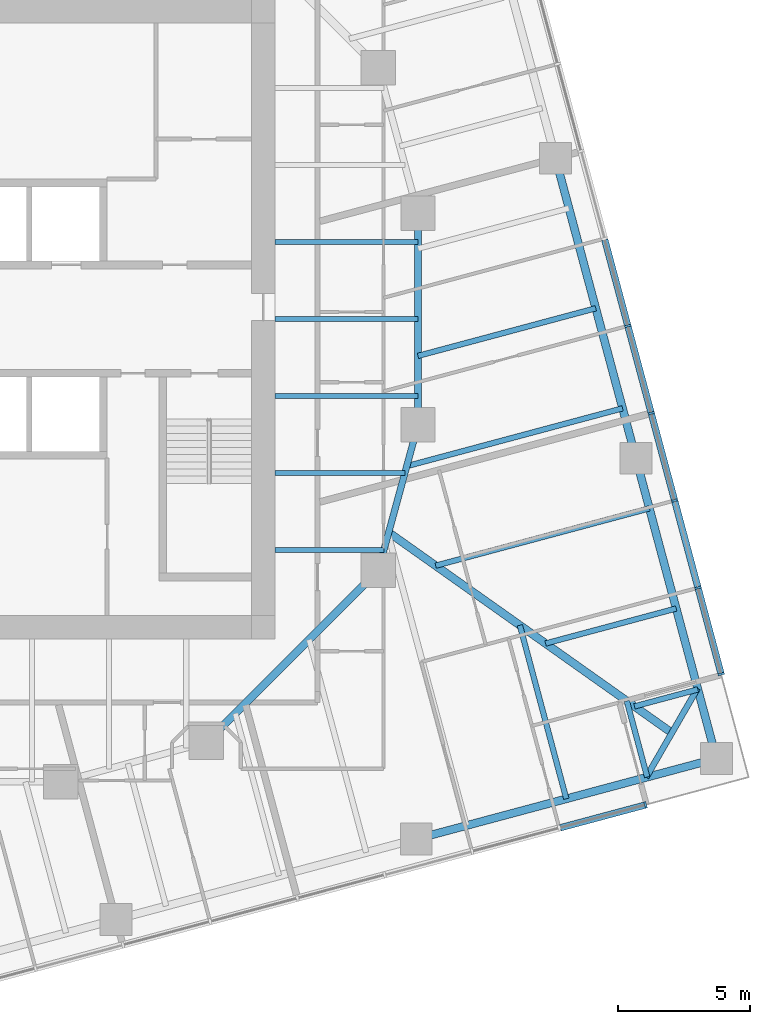
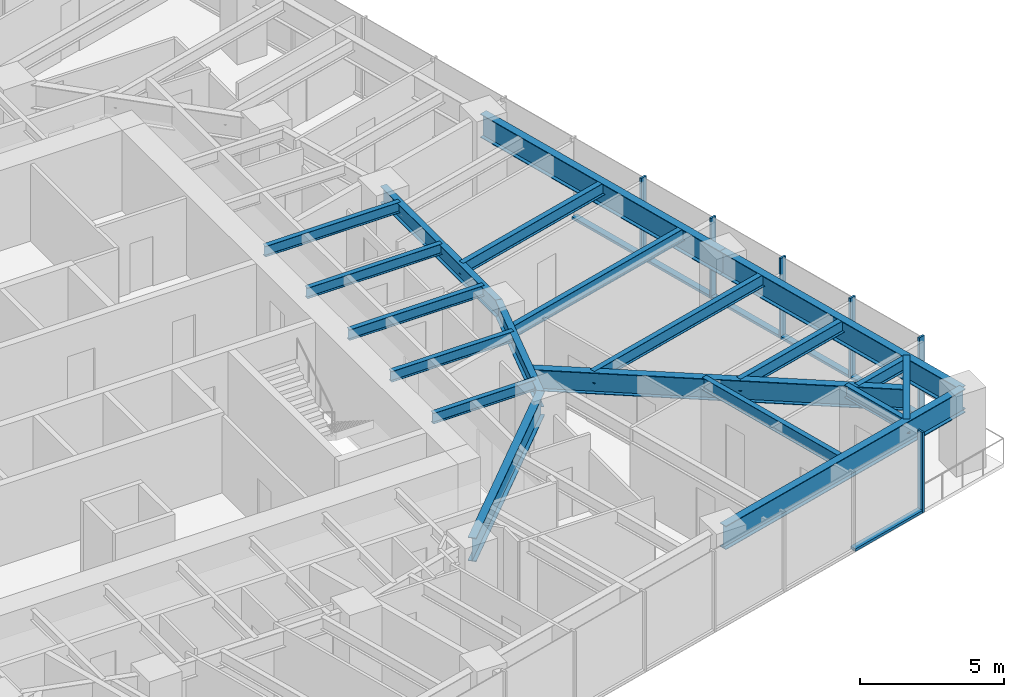
# One storey, part 4 of 14: 20 beams, 12 members, 2 elements without a shape of their own.
"""IFC4 building model written with IfcOpenShell, lengths in metres."""

from ifc_helpers import new_model, si_unit, direction, frame, origin, origin_2d, place, context, subcontext, project, spatial, rectangle, i_section, extrude, material, material_profile, profile_set, type_object, element, aggregate, save


model = new_model("IFC4")

# Units and contexts
model_context = context("Model", 3, precision=1e-05, world=origin(), true_north=direction((0.0, 1.0)))
body_context = subcontext(model_context, "Body", "Model", "MODEL_VIEW")
ifc_project = project(units=[si_unit("LENGTHUNIT", "METRE"), si_unit("AREAUNIT", "SQUARE_METRE"), si_unit("VOLUMEUNIT", "CUBIC_METRE"), si_unit("PLANEANGLEUNIT", "RADIAN"), si_unit("MASSUNIT", "GRAM", prefix="KILO")], contexts=[model_context])

# Site, building, storey
site_placement = place(None, origin())
site = spatial("IfcSite", under=ifc_project, at=site_placement, CompositionType="ELEMENT")
building_placement = place(site_placement, origin())
building = spatial("IfcBuilding", under=site, at=building_placement, Name="Torsade Residences", CompositionType="ELEMENT")
storey_placement = place(building_placement, frame((0.0, 0.0, 128.60009765625)))
storey = spatial("IfcBuildingStorey", under=building, at=storey_placement, Name="L35", CompositionType="ELEMENT", Elevation=128.60009765625)

# Beams
ifc_material_1 = material(Name="Steel grade 300", Category="steel")
ifc_material_profile_1 = material_profile(ifc_material_1, i_section(OverallWidth=0.300048828125, OverallDepth=0.89990234375, WebThickness=0.011962890625, FlangeThickness=0.02490234375, at=origin_2d()), Name="900WB175")
ifc_profile_set_1 = profile_set([ifc_material_profile_1], Name="Steel grade 300")
beam_type_1 = type_object("IfcBeamType", Name="CORNER GIRDER 900WB175", PredefinedType="BEAM", material=ifc_profile_set_1)
beam_1_placement = place(storey_placement, frame((67.097412109375, 14.355224609375, 2.7998046875), z_axis=(-0.816261084801, 0.577683167004, 0.0), x_axis=(-0.577683167004, -0.816261084801, 0.0)))
element("IfcBeam", 1, at=beam_1_placement, inside=storey, type_object=beam_type_1, Name="Corner girder 05 L36", PredefinedType="BEAM", context=body_context, shape_type="SweptSolid", body=[
    extrude(i_section(OverallWidth=0.300048828125, OverallDepth=0.89990234375, WebThickness=0.011962890625, FlangeThickness=0.02490234375, at=origin_2d()), origin(), (0.0, 0.0, 1.0), 13.116943359375),
])
ifc_material_2 = material(Name="Steel grade 300", Category="steel")
ifc_material_profile_2 = material_profile(ifc_material_2, i_section(OverallWidth=0.22802734375, OverallDepth=0.60205078125, WebThickness=0.010498046875, FlangeThickness=0.014892578125, FilletRadius=0.013916015625, at=origin_2d()), Name="610UB101")
ifc_profile_set_2 = profile_set([ifc_material_profile_2], Name="Steel grade 300")
beam_type_2 = type_object("IfcBeamType", Name="CORNER TRIMMER 610UB101", PredefinedType="BEAM", material=ifc_profile_set_2)
beam_2_placement = place(storey_placement, frame((68.06982421875, 16.039306640625, 2.948974609375), z_axis=(-0.499994147244, -0.866028782848, 0.0), x_axis=(0.866028782848, -0.499994147244, 0.0)))
element("IfcBeam", 2, at=beam_2_placement, inside=storey, type_object=beam_type_2, Name="Corner trimmer 05 L36", PredefinedType="BEAM", context=body_context, shape_type="SweptSolid", body=[
    extrude(i_section(OverallWidth=0.22802734375, OverallDepth=0.60205078125, WebThickness=0.010498046875, FlangeThickness=0.014892578125, FilletRadius=0.013916015625, at=origin_2d()), origin(), (0.0, 0.0, 1.0), 3.88916015625),
])
ifc_material_3 = material(Name="Steel grade 300", Category="steel")
ifc_material_profile_3 = material_profile(ifc_material_3, i_section(OverallWidth=0.300048828125, OverallDepth=1.0, WebThickness=0.01611328125, FlangeThickness=0.028076171875, at=origin_2d()), Name="1000WB215")
ifc_profile_set_3 = profile_set([ifc_material_profile_3], Name="Steel grade 300")
beam_type_3 = type_object("IfcBeamType", Name="EDGE BEAM 1000WB215", PredefinedType="SPANDREL", material=ifc_profile_set_3)
for number, where, z_axis, x_axis, name in (
    (3, (57.431884765625, 10.341796875, 2.75), (0.965922824118, 0.258830249097, 0.0), (-0.258830249097, 0.965922824118, 0.0), "Edge beam 04 L36"),
    (4, (68.781494140625, 13.383056640625, 2.75), (-0.258810863021, 0.965928018634, 0.0), (-0.965928018634, -0.258810863021, 0.0), "Edge beam 05 L36"),
    (5, (65.740478515625, 24.732666015625, 2.75), (-0.258830249097, 0.965922824118, 0.0), (-0.965922824118, -0.258830249097, 0.0), "Edge beam 06 L36"),
):
    element("IfcBeam", number, at=place(storey_placement, frame(where, z_axis=z_axis, x_axis=x_axis)), inside=storey, type_object=beam_type_3, Name=name, PredefinedType="SPANDREL", context=body_context, shape_type="SweptSolid", body=[
        extrude(i_section(OverallWidth=0.300048828125, OverallDepth=1.0, WebThickness=0.01611328125, FlangeThickness=0.028076171875, at=origin_2d()), origin(), (0.0, 0.0, 1.0), 11.75),
    ])
ifc_material_4 = material(Name="Steel grade 300", Category="steel")
ifc_material_profile_4 = material_profile(ifc_material_4, i_section(OverallWidth=0.18994140625, OverallDepth=0.4541015625, WebThickness=0.008544921875, FlangeThickness=0.0126953125, FilletRadius=0.011474609375, at=origin_2d()), Name="460UB67.1")
ifc_profile_set_4 = profile_set([ifc_material_profile_4], Name="Steel grade 300")
beam_type_4 = type_object("IfcBeamType", Name="INNER FLOOR BEAM 460UB67.1", PredefinedType="JOIST", material=ifc_profile_set_4)
beam_3_placement = place(storey_placement, frame((52.10009765625, 21.262451171875, 3.02294921875), z_axis=(1.0, 0.0, 0.0), x_axis=(0.0, 1.0, 0.0)))
element("IfcBeam", 6, at=beam_3_placement, inside=storey, type_object=beam_type_4, Name="Inner floor beam IE01 L36", PredefinedType="JOIST", context=body_context, shape_type="SweptSolid", body=[
    extrude(i_section(OverallWidth=0.18994140625, OverallDepth=0.4541015625, WebThickness=0.008544921875, FlangeThickness=0.0126953125, FilletRadius=0.011474609375, at=origin_2d()), origin(), (0.0, 0.0, 1.0), 4.10791015625),
])
beam_4_placement = place(storey_placement, frame((52.10009765625, 24.175048828125, 3.02294921875), z_axis=(1.0, 0.0, 0.0), x_axis=(0.0, 1.0, 0.0)))
element("IfcBeam", 7, at=beam_4_placement, inside=storey, type_object=beam_type_4, Name="Inner floor beam IE02 L36", PredefinedType="JOIST", context=body_context, shape_type="SweptSolid", body=[
    extrude(i_section(OverallWidth=0.18994140625, OverallDepth=0.4541015625, WebThickness=0.008544921875, FlangeThickness=0.0126953125, FilletRadius=0.011474609375, at=origin_2d()), origin(), (0.0, 0.0, 1.0), 4.902099609375),
])
for number, where, z_axis, x_axis, name in (
    (8, (52.10009765625, 27.08740234375, 3.02294921875), (1.0, 0.0, 0.0), (0.0, 1.0, 0.0), "Inner floor beam IE03 L36"),
    (9, (52.10009765625, 30.0, 3.02294921875), (1.0, 0.0, 0.0), (0.0, 1.0, 0.0), "Inner floor beam IE04 L36"),
    (10, (52.10009765625, 32.91259765625, 3.02294921875), (1.0, 0.0, 0.0), (0.0, 1.0, 0.0), "Inner floor beam IE05 L36"),
):
    element("IfcBeam", number, at=place(storey_placement, frame(where, z_axis=z_axis, x_axis=x_axis)), inside=storey, type_object=beam_type_4, Name=name, PredefinedType="JOIST", context=body_context, shape_type="SweptSolid", body=[
        extrude(i_section(OverallWidth=0.18994140625, OverallDepth=0.4541015625, WebThickness=0.008544921875, FlangeThickness=0.0126953125, FilletRadius=0.011474609375, at=origin_2d()), origin(), (0.0, 0.0, 1.0), 5.39990234375),
    ])

# Curtain wall, member
ifc_material_5 = material(Name="Aluminium and glass", Category="aluminium")
curtain_wall_type = type_object("IfcCurtainWallType", Name="FRITTED GLASS CURTAIN WALL MID ZONE", PredefinedType="NOTDEFINED", material=ifc_material_5)
curtain_wall_1_placement = place(storey_placement, origin())
curtain_wall_1 = element("IfcCurtainWall", 11, at=curtain_wall_1_placement, inside=storey, type_object=curtain_wall_type, Name="Curtain wall L35 face 1", PredefinedType="NOTDEFINED")
ifc_material_6 = material(Name="Aluminium mullion", Category="aluminium")
ifc_material_profile_5 = material_profile(ifc_material_6, rectangle(XDim=0.25, YDim=0.080078125, at=origin_2d()), Name="MID ZONE CURTAIN WALL MULLION 250x80")
ifc_profile_set_5 = profile_set([ifc_material_profile_5], Name="Aluminium mullion")
member_type_1 = type_object("IfcMemberType", Name="MID ZONE CURTAIN WALL MULLION 250x80", PredefinedType="MULLION", material=ifc_profile_set_5)
member_1_placement = place(storey_placement, frame((66.10400390625, 11.63037109375, 0.0), z_axis=(0.0, 0.0, 1.0), x_axis=(-0.258819047783, 0.965925825571, 0.0)))
member_1 = element("IfcMember", 12, at=member_1_placement, type_object=member_type_1, Name="Mullion 13", PredefinedType="MULLION", context=body_context, shape_type="SweptSolid", body=[
    extrude(rectangle(XDim=0.25, YDim=0.080078125, at=origin_2d()), origin(), (0.0, 0.0, 1.0), 3.39990234375),
])

# Curtain wall, members
curtain_wall_2_placement = place(storey_placement, origin())
curtain_wall_2 = element("IfcCurtainWall", 13, at=curtain_wall_2_placement, inside=storey, type_object=curtain_wall_type, Name="Curtain wall L35 face 4", PredefinedType="NOTDEFINED")
member_2_placement = place(storey_placement, frame((68.960693359375, 16.578125, 0.0), z_axis=(0.0, 0.0, 1.0), x_axis=(-0.965925825571, -0.258819047783, 0.0)))
member_2 = element("IfcMember", 14, at=member_2_placement, type_object=member_type_1, Name="Mullion 1", PredefinedType="MULLION", context=body_context, shape_type="SweptSolid", body=[
    extrude(rectangle(XDim=0.25, YDim=0.080078125, at=origin_2d()), origin(), (0.0, 0.0, 1.0), 3.39990234375),
])
member_3_placement = place(storey_placement, frame((68.086669921875, 19.83984375, 0.0), z_axis=(0.0, 0.0, 1.0), x_axis=(-0.965925825571, -0.258819047783, 0.0)))
member_3 = element("IfcMember", 15, at=member_3_placement, type_object=member_type_1, Name="Mullion 2", PredefinedType="MULLION", context=body_context, shape_type="SweptSolid", body=[
    extrude(rectangle(XDim=0.25, YDim=0.080078125, at=origin_2d()), origin(), (0.0, 0.0, 1.0), 3.39990234375),
])
member_4_placement = place(storey_placement, frame((67.202392578125, 23.14013671875, 0.0), z_axis=(0.0, 0.0, 1.0), x_axis=(-0.965925825571, -0.258819047783, 0.0)))
member_4 = element("IfcMember", 16, at=member_4_placement, type_object=member_type_1, Name="Mullion 3", PredefinedType="MULLION", context=body_context, shape_type="SweptSolid", body=[
    extrude(rectangle(XDim=0.25, YDim=0.080078125, at=origin_2d()), origin(), (0.0, 0.0, 1.0), 3.39990234375),
])
member_5_placement = place(storey_placement, frame((66.318115234375, 26.4404296875, 0.0), z_axis=(0.0, 0.0, 1.0), x_axis=(-0.965925825571, -0.258819047783, 0.0)))
member_5 = element("IfcMember", 17, at=member_5_placement, type_object=member_type_1, Name="Mullion 4", PredefinedType="MULLION", context=body_context, shape_type="SweptSolid", body=[
    extrude(rectangle(XDim=0.25, YDim=0.080078125, at=origin_2d()), origin(), (0.0, 0.0, 1.0), 3.39990234375),
])
member_6_placement = place(storey_placement, frame((65.433837890625, 29.740478515625, 0.0), z_axis=(0.0, 0.0, 1.0), x_axis=(-0.965925825571, -0.258819047783, 0.0)))
member_6 = element("IfcMember", 18, at=member_6_placement, type_object=member_type_1, Name="Mullion 5", PredefinedType="MULLION", context=body_context, shape_type="SweptSolid", body=[
    extrude(rectangle(XDim=0.25, YDim=0.080078125, at=origin_2d()), origin(), (0.0, 0.0, 1.0), 3.39990234375),
])

# Member
ifc_material_7 = material(Name="Aluminium transom", Category="aluminium")
ifc_material_profile_6 = material_profile(ifc_material_7, rectangle(XDim=0.25, YDim=0.110107421875, at=origin_2d()), Name="MID ZONE CURTAIN WALL TRANSOM 250x110")
ifc_profile_set_6 = profile_set([ifc_material_profile_6], Name="Aluminium transom")
member_type_2 = type_object("IfcMemberType", Name="MID ZONE CURTAIN WALL TRANSOM 250x110", PredefinedType="USERDEFINED", material=ifc_profile_set_6)
member_7_placement = place(storey_placement, frame((62.880859375, 10.7666015625, 0.054931640625), z_axis=(0.965923258633, 0.258828627534, 0.0), x_axis=(-0.258828627534, 0.965923258633, 0.0)))
member_7 = element("IfcMember", 19, at=member_7_placement, type_object=member_type_2, Name="Transom 12.1", ObjectType="TRANSOM", PredefinedType="USERDEFINED", context=body_context, shape_type="SweptSolid", body=[
    extrude(rectangle(XDim=0.25, YDim=0.110107421875, at=origin_2d()), origin(), (0.0, 0.0, 1.0), 3.296630859375),
])

aggregate(curtain_wall_1, [member_1, member_7])

member_8_placement = place(storey_placement, frame((68.9501953125, 16.616943359375, 0.054931640625), z_axis=(-0.258828627534, 0.965923258633, 0.0), x_axis=(-0.965923258633, -0.258828627534, 0.0)))
member_8 = element("IfcMember", 20, at=member_8_placement, type_object=member_type_2, Name="Transom 1.1", ObjectType="TRANSOM", PredefinedType="USERDEFINED", context=body_context, shape_type="SweptSolid", body=[
    extrude(rectangle(XDim=0.25, YDim=0.110107421875, at=origin_2d()), origin(), (0.0, 0.0, 1.0), 3.296630859375),
])

member_9_placement = place(storey_placement, frame((68.076416015625, 19.87841796875, 0.054931640625), z_axis=(-0.258855549498, 0.965916044226, 0.0), x_axis=(-0.965916044226, -0.258855549498, 0.0)))
member_9 = element("IfcMember", 21, at=member_9_placement, type_object=member_type_2, Name="Transom 2.1", ObjectType="TRANSOM", PredefinedType="USERDEFINED", context=body_context, shape_type="SweptSolid", body=[
    extrude(rectangle(XDim=0.25, YDim=0.110107421875, at=origin_2d()), origin(), (0.0, 0.0, 1.0), 3.3369140625),
])

member_10_placement = place(storey_placement, frame((67.192138671875, 23.1787109375, 0.054931640625), z_axis=(-0.258873844232, 0.96591114124, 0.0), x_axis=(-0.96591114124, -0.258873844232, 0.0)))
member_10 = element("IfcMember", 22, at=member_10_placement, type_object=member_type_2, Name="Transom 3.1", ObjectType="TRANSOM", PredefinedType="USERDEFINED", context=body_context, shape_type="SweptSolid", body=[
    extrude(rectangle(XDim=0.25, YDim=0.110107421875, at=origin_2d()), origin(), (0.0, 0.0, 1.0), 3.336669921875),
])

member_11_placement = place(storey_placement, frame((66.3076171875, 26.47900390625, 0.054931640625), z_axis=(-0.258805576255, 0.965929435155, 0.0), x_axis=(-0.965929435155, -0.258805576255, 0.0)))
member_11 = element("IfcMember", 23, at=member_11_placement, type_object=member_type_2, Name="Transom 4.1", ObjectType="TRANSOM", PredefinedType="USERDEFINED", context=body_context, shape_type="SweptSolid", body=[
    extrude(rectangle(XDim=0.25, YDim=0.110107421875, at=origin_2d()), origin(), (0.0, 0.0, 1.0), 3.336669921875),
])

member_12_placement = place(storey_placement, frame((65.42333984375, 29.779296875, 0.054931640625), z_axis=(-0.258805576255, 0.965929435155, 0.0), x_axis=(-0.965929435155, -0.258805576255, 0.0)))
member_12 = element("IfcMember", 24, at=member_12_placement, type_object=member_type_2, Name="Transom 5.1", ObjectType="TRANSOM", PredefinedType="USERDEFINED", context=body_context, shape_type="SweptSolid", body=[
    extrude(rectangle(XDim=0.25, YDim=0.110107421875, at=origin_2d()), origin(), (0.0, 0.0, 1.0), 3.336669921875),
])

aggregate(curtain_wall_2, [member_2, member_3, member_4, member_5, member_6, member_8, member_9, member_10, member_11, member_12])

# Beams
ifc_material_8 = material(Name="Steel grade 300", Category="steel")
ifc_material_profile_7 = material_profile(ifc_material_8, i_section(OverallWidth=0.300048828125, OverallDepth=1.0, WebThickness=0.01611328125, FlangeThickness=0.028076171875, at=origin_2d()), Name="1000WB215")
ifc_profile_set_7 = profile_set([ifc_material_profile_7], Name="Steel grade 300")
beam_type_5 = type_object("IfcBeamType", Name="RING CORNER GIRDER 1000WB215", PredefinedType="BEAM", material=ifc_profile_set_7)
beam_5_placement = place(storey_placement, frame((49.5, 14.0, 2.75), z_axis=(0.707106781187, 0.707106781187, 0.0), x_axis=(-0.707106781187, 0.707106781187, 0.0)))
element("IfcBeam", 25, at=beam_5_placement, inside=storey, type_object=beam_type_5, Name="Ring girder IR15 L36", PredefinedType="BEAM", context=body_context, shape_type="SweptSolid", body=[
    extrude(i_section(OverallWidth=0.300048828125, OverallDepth=1.0, WebThickness=0.01611328125, FlangeThickness=0.028076171875, at=origin_2d()), origin(), (0.0, 0.0, 1.0), 9.1923828125),
])
ifc_material_9 = material(Name="Steel grade 300", Category="steel")
ifc_material_profile_8 = material_profile(ifc_material_9, i_section(OverallWidth=0.25, OverallDepth=0.699951171875, WebThickness=0.010009765625, FlangeThickness=0.02001953125, at=origin_2d()), Name="700WB130")
ifc_profile_set_8 = profile_set([ifc_material_profile_8], Name="Steel grade 300")
beam_type_6 = type_object("IfcBeamType", Name="RING GIRDER 700WB130", PredefinedType="BEAM", material=ifc_profile_set_8)
beam_6_placement = place(storey_placement, frame((57.5, 26.0, 2.89990234375), z_axis=(0.0, 1.0, 0.0), x_axis=(-1.0, 0.0, 0.0)))
element("IfcBeam", 26, at=beam_6_placement, inside=storey, type_object=beam_type_6, Name="Ring girder IR01 L36", PredefinedType="BEAM", context=body_context, shape_type="SweptSolid", body=[
    extrude(i_section(OverallWidth=0.25, OverallDepth=0.699951171875, WebThickness=0.010009765625, FlangeThickness=0.02001953125, at=origin_2d()), origin(), (0.0, 0.0, 1.0), 8.0),
])
beam_7_placement = place(storey_placement, frame((56.0, 20.5, 2.89990234375), z_axis=(0.263117405792, 0.964763821238, 0.0), x_axis=(-0.964763821238, 0.263117405792, 0.0)))
element("IfcBeam", 27, at=beam_7_placement, inside=storey, type_object=beam_type_6, Name="Ring girder IR16 L36", PredefinedType="BEAM", context=body_context, shape_type="SweptSolid", body=[
    extrude(i_section(OverallWidth=0.25, OverallDepth=0.699951171875, WebThickness=0.010009765625, FlangeThickness=0.02001953125, at=origin_2d()), origin(), (0.0, 0.0, 1.0), 5.700927734375),
])
ifc_material_10 = material(Name="Steel grade 300", Category="steel")
ifc_material_profile_9 = material_profile(ifc_material_10, i_section(OverallWidth=0.208984375, OverallDepth=0.528076171875, WebThickness=0.009521484375, FlangeThickness=0.01318359375, FilletRadius=0.013916015625, at=origin_2d()), Name="530UB82.0")
ifc_profile_set_9 = profile_set([ifc_material_profile_9], Name="Steel grade 300")
beam_type_7 = type_object("IfcBeamType", Name="SECONDARY BEAM 530UB82.0", PredefinedType="JOIST", material=ifc_profile_set_9)
beam_8_placement = place(storey_placement, frame((63.106689453125, 11.862548828125, 2.98583984375), z_axis=(-0.258814533235, 0.965927035229, 0.0), x_axis=(-0.965927035229, -0.258814533235, 0.0)))
element("IfcBeam", 28, at=beam_8_placement, inside=storey, type_object=beam_type_7, Name="Floor beam FS11 L36", PredefinedType="JOIST", context=body_context, shape_type="SweptSolid", body=[
    extrude(i_section(OverallWidth=0.208984375, OverallDepth=0.528076171875, WebThickness=0.009521484375, FlangeThickness=0.01318359375, FilletRadius=0.013916015625, at=origin_2d()), origin(), (0.0, 0.0, 1.0), 6.792724609375),
])
beam_9_placement = place(storey_placement, frame((66.16552734375, 12.68212890625, 2.98583984375), z_axis=(-0.258865750242, 0.965913310475, 0.0), x_axis=(-0.965913310475, -0.258865750242, 0.0)))
element("IfcBeam", 29, at=beam_9_placement, inside=storey, type_object=beam_type_7, Name="Floor beam FS12 L36", PredefinedType="JOIST", context=body_context, shape_type="SweptSolid", body=[
    extrude(i_section(OverallWidth=0.208984375, OverallDepth=0.528076171875, WebThickness=0.009521484375, FlangeThickness=0.01318359375, FilletRadius=0.013916015625, at=origin_2d()), origin(), (0.0, 0.0, 1.0), 2.980224609375),
])
beam_10_placement = place(storey_placement, frame((68.08056640625, 15.9990234375, 2.98583984375), z_axis=(-0.965920834438, -0.258837674225, 0.0), x_axis=(0.258837674225, -0.965920834438, 0.0)))
element("IfcBeam", 30, at=beam_10_placement, inside=storey, type_object=beam_type_7, Name="Floor beam FE01 L36", PredefinedType="JOIST", context=body_context, shape_type="SweptSolid", body=[
    extrude(i_section(OverallWidth=0.208984375, OverallDepth=0.528076171875, WebThickness=0.009521484375, FlangeThickness=0.01318359375, FilletRadius=0.013916015625, at=origin_2d()), origin(), (0.0, 0.0, 1.0), 2.482666015625),
])
beam_11_placement = place(storey_placement, frame((67.260986328125, 19.057861328125, 2.98583984375), z_axis=(-0.965926736728, -0.258815647274, 0.0), x_axis=(0.258815647274, -0.965926736728, 0.0)))
element("IfcBeam", 31, at=beam_11_placement, inside=storey, type_object=beam_type_7, Name="Floor beam FE02 L36", PredefinedType="JOIST", context=body_context, shape_type="SweptSolid", body=[
    extrude(i_section(OverallWidth=0.208984375, OverallDepth=0.528076171875, WebThickness=0.009521484375, FlangeThickness=0.01318359375, FilletRadius=0.013916015625, at=origin_2d()), origin(), (0.0, 0.0, 1.0), 5.11279296875),
])
beam_12_placement = place(storey_placement, frame((66.247314453125, 22.841064453125, 2.98583984375), z_axis=(-0.965924734258, -0.258823120582, 0.0), x_axis=(0.258823120582, -0.965924734258, 0.0)))
element("IfcBeam", 32, at=beam_12_placement, inside=storey, type_object=beam_type_7, Name="Floor beam FE03 L36", PredefinedType="JOIST", context=body_context, shape_type="SweptSolid", body=[
    extrude(i_section(OverallWidth=0.208984375, OverallDepth=0.528076171875, WebThickness=0.009521484375, FlangeThickness=0.01318359375, FilletRadius=0.013916015625, at=origin_2d()), origin(), (0.0, 0.0, 1.0), 8.365966796875),
])
beam_13_placement = place(storey_placement, frame((65.233642578125, 26.624267578125, 2.98583984375), z_axis=(-0.965928701223, -0.258808315464, 0.0), x_axis=(0.258808315464, -0.965928701223, 0.0)))
element("IfcBeam", 33, at=beam_13_placement, inside=storey, type_object=beam_type_7, Name="Floor beam FE04 L36", PredefinedType="JOIST", context=body_context, shape_type="SweptSolid", body=[
    extrude(i_section(OverallWidth=0.208984375, OverallDepth=0.528076171875, WebThickness=0.009521484375, FlangeThickness=0.01318359375, FilletRadius=0.013916015625, at=origin_2d()), origin(), (0.0, 0.0, 1.0), 8.447509765625),
])
beam_14_placement = place(storey_placement, frame((64.2197265625, 30.407470703125, 2.98583984375), z_axis=(-0.965926120836, -0.258817945835, 0.0), x_axis=(0.258817945835, -0.965926120836, 0.0)))
element("IfcBeam", 34, at=beam_14_placement, inside=storey, type_object=beam_type_7, Name="Floor beam FE05 L36", PredefinedType="JOIST", context=body_context, shape_type="SweptSolid", body=[
    extrude(i_section(OverallWidth=0.208984375, OverallDepth=0.528076171875, WebThickness=0.009521484375, FlangeThickness=0.01318359375, FilletRadius=0.013916015625, at=origin_2d()), origin(), (0.0, 0.0, 1.0), 6.956787109375),
])

save(model, "model.ifc")
